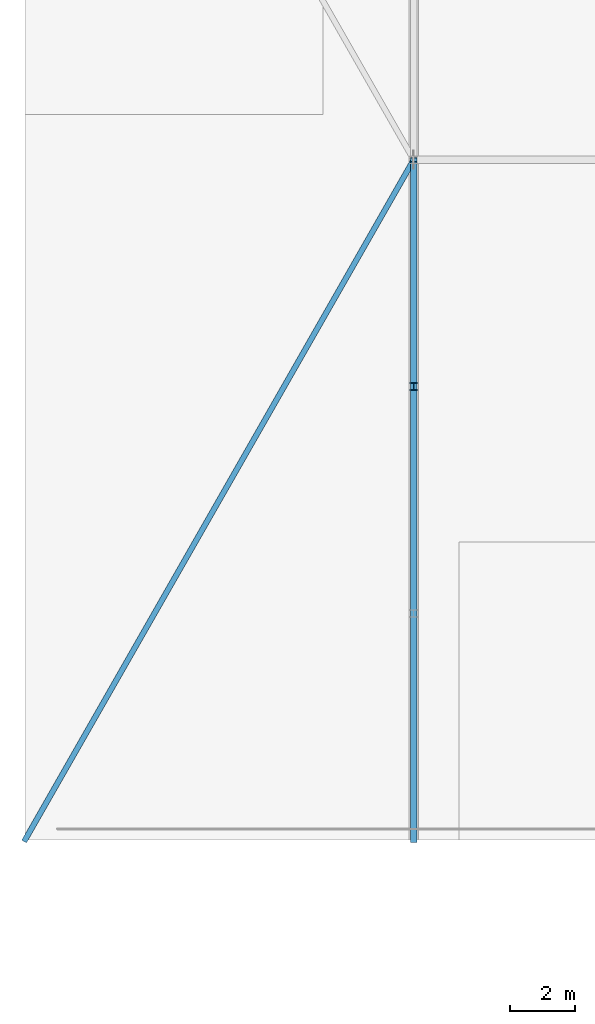
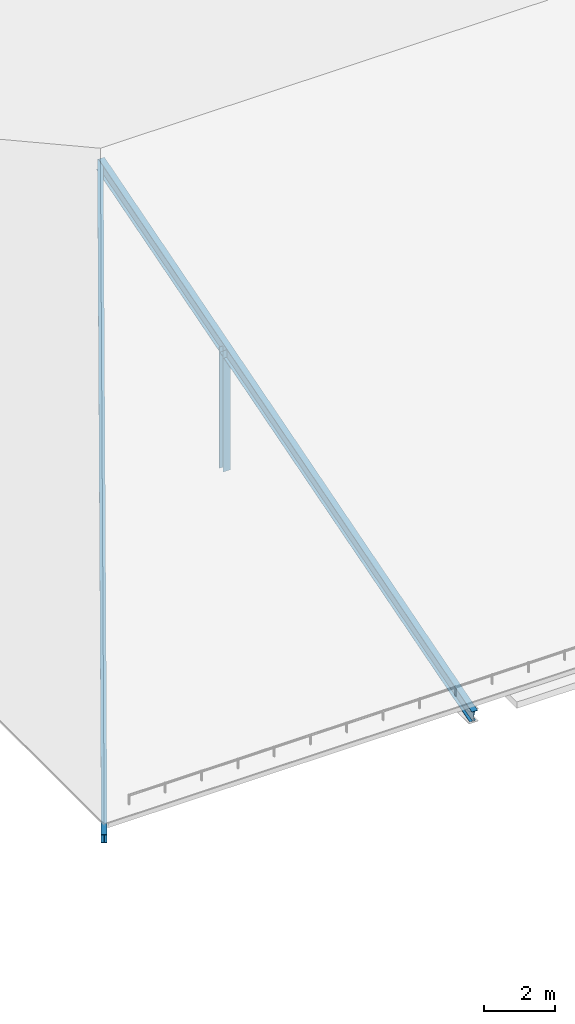
# One storey, part 5 of 204: 3 members.
"""IFC4 building model written with IfcOpenShell, lengths in metres."""

from ifc_helpers import new_model, si_unit, direction, frame, origin, origin_2d, place, context, subcontext, project, spatial, i_section, extrude, material, material_profile, profile_set, type_object, element, save


model = new_model("IFC4")

# Units and contexts
model_context = context("Model", 3, precision=1e-05, world=origin(), true_north=direction((0.0, 1.0)))
body_context = subcontext(model_context, "Body", "Model", "MODEL_VIEW")
ifc_project = project(units=[si_unit("LENGTHUNIT", "METRE"), si_unit("AREAUNIT", "SQUARE_METRE"), si_unit("VOLUMEUNIT", "CUBIC_METRE"), si_unit("PLANEANGLEUNIT", "RADIAN"), si_unit("MASSUNIT", "GRAM", prefix="KILO")], contexts=[model_context])

# Site, building, storey
site_placement = place(None, origin())
site = spatial("IfcSite", under=ifc_project, at=site_placement, CompositionType="ELEMENT")
building_placement = place(site_placement, origin())
building = spatial("IfcBuilding", under=site, at=building_placement, Name="Zilviju Railside Exhibition Hall", CompositionType="ELEMENT")
storey_placement = place(building_placement, frame((0.0, 0.0, 21.0)))
storey = spatial("IfcBuildingStorey", under=building, at=storey_placement, Name="RF", CompositionType="ELEMENT", Elevation=21.0)

# Members
ifc_material = material(Name="Steel S355J2", Category="steel")
ifc_material_profile_1 = material_profile(ifc_material, i_section(OverallWidth=0.239990234375, OverallDepth=0.22998046875, WebThickness=0.007568359375, FlangeThickness=0.011962890625, at=origin_2d()), Name="HEA 240")
ifc_profile_set_1 = profile_set([ifc_material_profile_1], Name="Steel S355J2")
member_type_1 = type_object("IfcMemberType", Name="TR-POST-HEA240", PredefinedType="POST", material=ifc_profile_set_1)
member_1_placement = place(storey_placement, frame((12.0, 50.0, -8.39990234375), z_axis=(0.0, 0.0, 1.0), x_axis=(1.0, 0.0, 0.0)))
element("IfcMember", 1, at=member_1_placement, inside=storey, type_object=member_type_1, Name="Congress Truss Web Post X=12.0", PredefinedType="POST", context=body_context, shape_type="SweptSolid", body=[
    extrude(i_section(OverallWidth=0.239990234375, OverallDepth=0.22998046875, WebThickness=0.007568359375, FlangeThickness=0.011962890625, at=origin_2d()), origin(), (0.0, 0.0, 1.0), 4.159912109375),
])
ifc_material_profile_2 = material_profile(ifc_material, i_section(OverallWidth=0.169921875, OverallDepth=0.360107421875, WebThickness=0.008056640625, FlangeThickness=0.0126953125, at=origin_2d()), Name="IPE 360")
ifc_profile_set_2 = profile_set([ifc_material_profile_2], Name="Steel S355J2")
member_type_2 = type_object("IfcMemberType", Name="TR-RAF-IPE360", PredefinedType="RAFTER", material=ifc_profile_set_2)
member_2_placement = place(storey_placement, frame((0.0, 36.0, -8.39990234375), z_axis=(0.480360405507, 0.840630709637, 0.250187711202), x_axis=(-0.868243142124, 0.496138938357, 0.0)))
element("IfcMember", 2, at=member_2_placement, inside=storey, type_object=member_type_2, Name="Congress Hip Rafter", PredefinedType="RAFTER", context=body_context, shape_type="SweptSolid", body=[
    extrude(i_section(OverallWidth=0.169921875, OverallDepth=0.360107421875, WebThickness=0.008056640625, FlangeThickness=0.0126953125, at=origin_2d()), origin(), (0.0, 0.0, 1.0), 24.981201171875),
])
ifc_material_profile_3 = material_profile(ifc_material, i_section(OverallWidth=0.18994140625, OverallDepth=0.449951171875, WebThickness=0.009521484375, FlangeThickness=0.0146484375, at=origin_2d()), Name="IPE 450")
ifc_profile_set_3 = profile_set([ifc_material_profile_3], Name="Steel S355J2")
member_type_3 = type_object("IfcMemberType", Name="TR-RAF-IPE450", PredefinedType="RAFTER", material=ifc_profile_set_3)
member_3_placement = place(storey_placement, frame((12.0, 36.0, -8.39990234375), z_axis=(0.0, 0.958452078441, 0.285253594774), x_axis=(-1.0, 0.0, 0.0)))
element("IfcMember", 3, at=member_3_placement, inside=storey, type_object=member_type_3, Name="Congress Pitched Truss South Rafter X=12.0", PredefinedType="RAFTER", context=body_context, shape_type="SweptSolid", body=[
    extrude(i_section(OverallWidth=0.18994140625, OverallDepth=0.449951171875, WebThickness=0.009521484375, FlangeThickness=0.0146484375, at=origin_2d()), origin(), (0.0, 0.0, 1.0), 21.910400390625),
])

save(model, "model.ifc")
